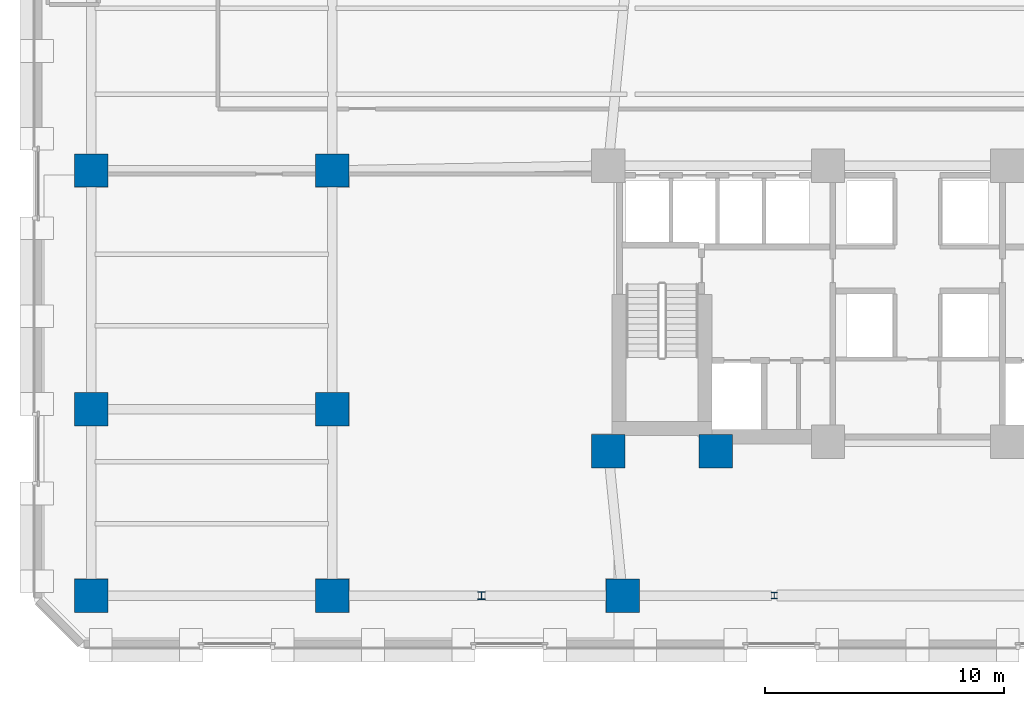
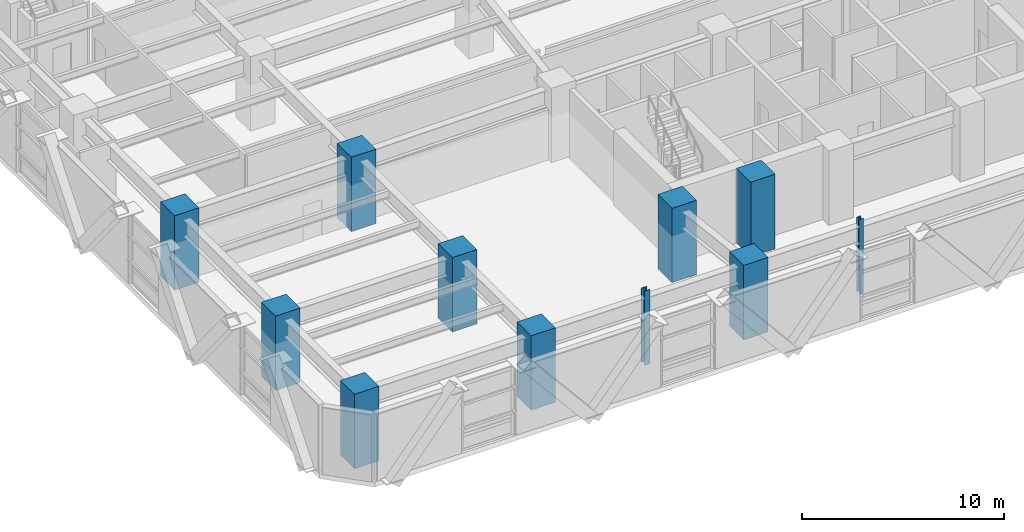
# One storey, part 1 of 26: 11 columns.
"""IFC4 building model written with IfcOpenShell, lengths in metres."""

from ifc_helpers import new_model, si_unit, direction, frame, origin, origin_2d, place, context, subcontext, project, spatial, rectangle, i_section, extrude, material, material_profile, profile_set, type_object, element, save


model = new_model("IFC4")

# Units and contexts
model_context = context("Model", 3, precision=1e-05, world=origin(), true_north=direction((0.0, 1.0)))
body_context = subcontext(model_context, "Body", "Model", "MODEL_VIEW")
ifc_project = project(units=[si_unit("LENGTHUNIT", "METRE"), si_unit("AREAUNIT", "SQUARE_METRE"), si_unit("VOLUMEUNIT", "CUBIC_METRE"), si_unit("PLANEANGLEUNIT", "RADIAN"), si_unit("MASSUNIT", "GRAM", prefix="KILO")], contexts=[model_context])

# Site, building, storey
site_placement = place(None, origin())
site = spatial("IfcSite", under=ifc_project, at=site_placement, CompositionType="ELEMENT")
building_placement = place(site_placement, origin())
building = spatial("IfcBuilding", under=site, at=building_placement, Name="Quenlor Broadcast Tower", CompositionType="ELEMENT")
storey_placement = place(building_placement, frame((0.0, 0.0, 18.5)))
storey = spatial("IfcBuildingStorey", under=building, at=storey_placement, Name="L04", CompositionType="ELEMENT", Elevation=18.5)

# Columns
ifc_material_1 = material(Name="Concrete C65/80", Category="concrete")
ifc_material_profile_1 = material_profile(ifc_material_1, rectangle(XDim=1.39990234375, YDim=1.39990234375, at=origin_2d()))
ifc_profile_set_1 = profile_set([ifc_material_profile_1], Name="Concrete C65/80 RC1400x1400")
column_type_1 = type_object("IfcColumnType", Name="Core Corner Column Lower Concrete C65/80 1400", PredefinedType="COLUMN", material=ifc_profile_set_1)
for number, where, z_axis, x_axis, name in (
    (1, (-12.949951171875, -16.75, 0.0), (0.0, 0.0, 1.0), (1.0, 0.0, 0.0), "L04 Core Column CC1"),
    (2, (-8.449951171875, -16.75, 0.0), (0.0, 0.0, 1.0), (1.0, 0.0, 0.0), "L04 Core Column CC2"),
):
    element("IfcColumn", number, at=place(storey_placement, frame(where, z_axis=z_axis, x_axis=x_axis)), inside=storey, type_object=column_type_1, Name=name, PredefinedType="COLUMN", context=body_context, shape_type="SweptSolid", body=[
        extrude(rectangle(XDim=1.39990234375, YDim=1.39990234375, at=origin_2d()), origin(), (0.0, 0.0, 1.0), 4.5),
    ])
ifc_material_2 = material(Name="Steel S355", Category="steel")
ifc_material_profile_2 = material_profile(ifc_material_2, i_section(OverallWidth=0.256103515625, OverallDepth=0.260009765625, WebThickness=0.010498046875, FlangeThickness=0.017333984375, FilletRadius=0.013916015625, at=origin_2d()))
ifc_profile_set_2 = profile_set([ifc_material_profile_2], Name="Steel S355 250UC89.5")
column_type_2 = type_object("IfcColumnType", Name="Podium Gallery Post Steel S355 250UC89.5", PredefinedType="COLUMN", material=ifc_profile_set_2)
column_1_placement = place(storey_placement, frame((-6.0, -22.800048828125, 0.0), z_axis=(0.0, 0.0, 1.0), x_axis=(1.0, 0.0, 0.0)))
element("IfcColumn", 3, at=column_1_placement, inside=storey, type_object=column_type_2, Name="L04 Station Steel Column SPW2", PredefinedType="COLUMN", context=body_context, shape_type="SweptSolid", body=[
    extrude(i_section(OverallWidth=0.256103515625, OverallDepth=0.260009765625, WebThickness=0.010498046875, FlangeThickness=0.017333984375, FilletRadius=0.013916015625, at=origin_2d()), origin(), (0.0, 0.0, 1.0), 4.5),
])
ifc_material_3 = material(Name="Concrete C65/80", Category="concrete")
ifc_material_profile_3 = material_profile(ifc_material_3, rectangle(XDim=1.39990234375, YDim=1.39990234375, at=origin_2d()))
ifc_profile_set_3 = profile_set([ifc_material_profile_3], Name="Concrete C65/80 RC1400x1400")
column_type_3 = type_object("IfcColumnType", Name="Podium Mega Column Concrete C65/80 1400", PredefinedType="COLUMN", material=ifc_profile_set_3)
for number, where, z_axis, x_axis, name in (
    (4, (-34.60009765625, -22.800048828125, 0.0), (0.0, 0.0, 1.0), (1.0, 0.0, 0.0), "L04 Podium Mega Column PM1"),
    (5, (-24.5, -22.800048828125, 0.0), (0.0, 0.0, 1.0), (1.0, 0.0, 0.0), "L04 Podium Mega Column PM2"),
    (6, (-12.35009765625, -22.800048828125, 0.0), (0.0, 0.0, 1.0), (1.0, 0.0, 0.0), "L04 Podium Mega Column PM3"),
    (7, (-34.60009765625, -15.0, 0.0), (0.0, 0.0, 1.0), (1.0, 0.0, 0.0), "L04 Podium Mega Column PM7"),
    (8, (-24.5, -15.0, 0.0), (0.0, 0.0, 1.0), (1.0, 0.0, 0.0), "L04 Podium Mega Column PM8"),
    (9, (-34.60009765625, -5.0, 0.0), (0.0, 0.0, 1.0), (1.0, 0.0, 0.0), "L04 Podium Mega Column PM11"),
    (10, (-24.5, -5.0, 0.0), (0.0, 0.0, 1.0), (1.0, 0.0, 0.0), "L04 Podium Mega Column PM12"),
):
    element("IfcColumn", number, at=place(storey_placement, frame(where, z_axis=z_axis, x_axis=x_axis)), inside=storey, type_object=column_type_3, Name=name, PredefinedType="COLUMN", context=body_context, shape_type="SweptSolid", body=[
        extrude(rectangle(XDim=1.39990234375, YDim=1.39990234375, at=origin_2d()), origin(), (0.0, 0.0, 1.0), 4.5),
    ])
ifc_material_4 = material(Name="Steel S355", Category="steel")
ifc_material_profile_4 = material_profile(ifc_material_4, i_section(OverallWidth=0.31103515625, OverallDepth=0.3271484375, WebThickness=0.015625, FlangeThickness=0.02490234375, FilletRadius=0.0166015625, at=origin_2d()))
ifc_profile_set_4 = profile_set([ifc_material_profile_4], Name="Steel S355 310UC158")
column_type_4 = type_object("IfcColumnType", Name="Podium Trim Post Steel S355 310UC158", PredefinedType="COLUMN", material=ifc_profile_set_4)
column_2_placement = place(storey_placement, frame((-18.25, -22.800048828125, 0.0), z_axis=(0.0, 0.0, 1.0), x_axis=(1.0, 0.0, 0.0)))
element("IfcColumn", 11, at=column_2_placement, inside=storey, type_object=column_type_4, Name="L04 Station Steel Column SPW1", PredefinedType="COLUMN", context=body_context, shape_type="SweptSolid", body=[
    extrude(i_section(OverallWidth=0.31103515625, OverallDepth=0.3271484375, WebThickness=0.015625, FlangeThickness=0.02490234375, FilletRadius=0.0166015625, at=origin_2d()), origin(), (0.0, 0.0, 1.0), 4.5),
])

save(model, "model.ifc")
